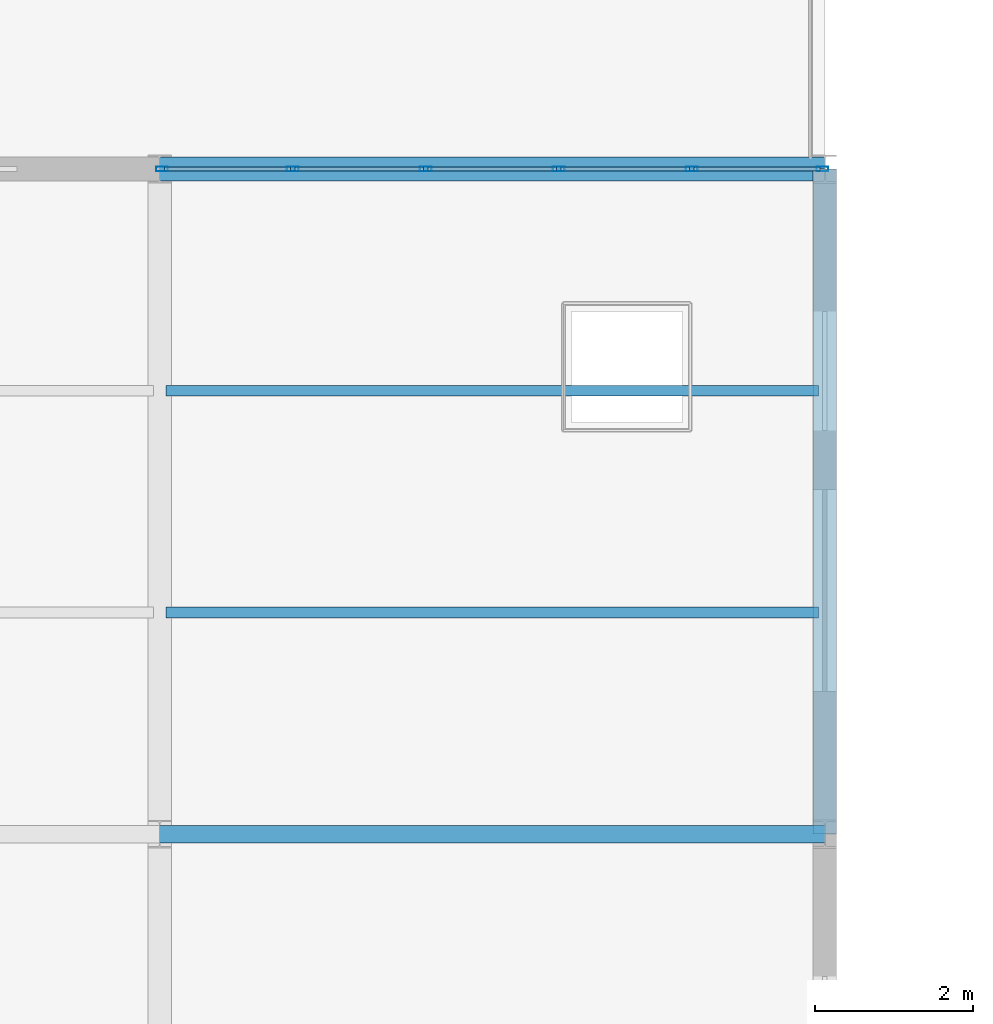
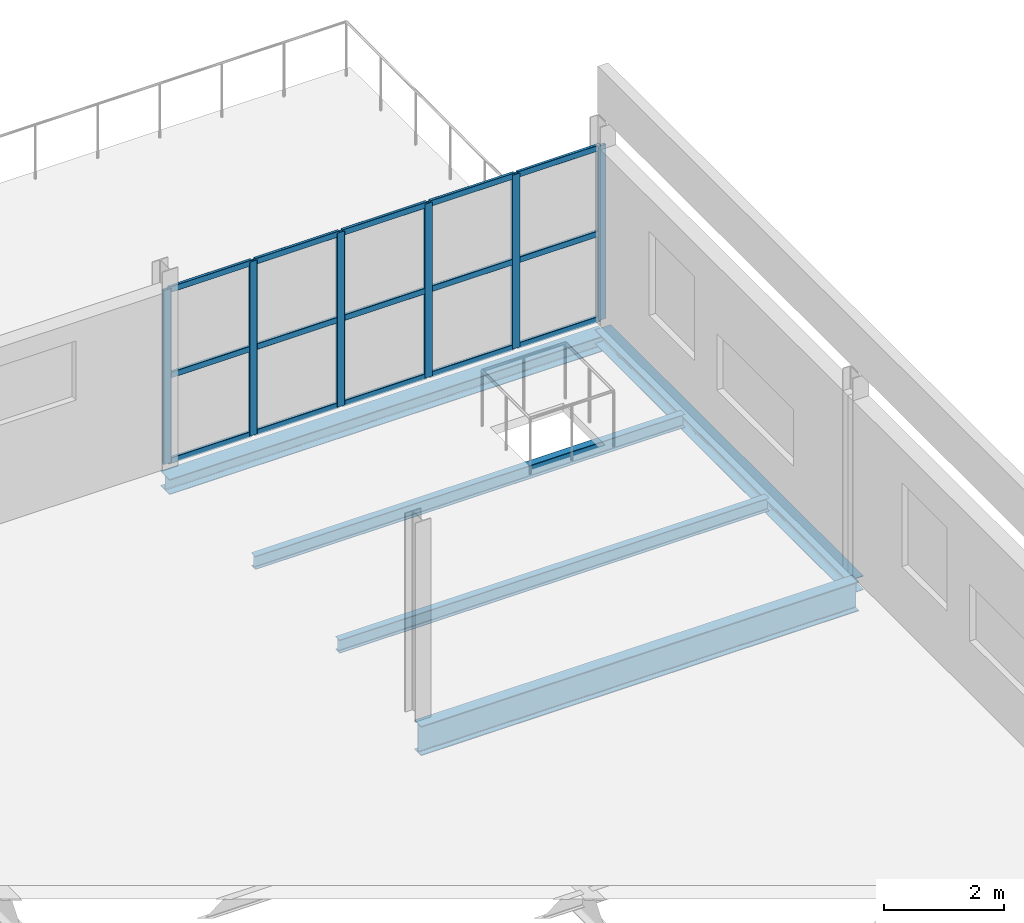
# One storey, part 126 of 184: 21 members, 5 beams, 1 element without a shape of its own.
"""IFC4 building model written with IfcOpenShell, lengths in metres."""

from ifc_helpers import new_model, si_unit, direction, frame, origin, origin_2d, place, context, subcontext, project, spatial, hollow_rectangle, i_section, extrude, material, layer, layer_set, material_profile, profile_set, type_object, element, aggregate, save


model = new_model("IFC4")

# Units and contexts
model_context = context("Model", 3, precision=1e-05, world=origin(), true_north=direction((0.0, 1.0)))
body_context = subcontext(model_context, "Body", "Model", "MODEL_VIEW")
ifc_project = project(units=[si_unit("LENGTHUNIT", "METRE"), si_unit("AREAUNIT", "SQUARE_METRE"), si_unit("VOLUMEUNIT", "CUBIC_METRE"), si_unit("PLANEANGLEUNIT", "RADIAN"), si_unit("MASSUNIT", "GRAM", prefix="KILO")], contexts=[model_context])

# Site, building, storey
site_placement = place(None, origin())
site = spatial("IfcSite", under=ifc_project, at=site_placement, CompositionType="ELEMENT")
building_placement = place(site_placement, origin())
building = spatial("IfcBuilding", under=site, at=building_placement, Name="Qalvenar Corner Mobility Hub", CompositionType="ELEMENT")
storey_placement = place(building_placement, frame((0.0, 0.0, 9.0)))
storey = spatial("IfcBuildingStorey", under=building, at=storey_placement, Name="L02", CompositionType="ELEMENT", Elevation=9.0)

# Beams
ifc_material_1 = material(Name="Steel S355", Category="steel")
ifc_material_profile_1 = material_profile(ifc_material_1, i_section(OverallWidth=0.219970703125, OverallDepth=0.60009765625, WebThickness=0.011962890625, FlangeThickness=0.01904296875, FilletRadius=0.02392578125, at=origin_2d()), Name="IPE600")
ifc_profile_set_1 = profile_set([ifc_material_profile_1], Name="Steel S355")
beam_type_1 = type_object("IfcBeamType", Name="BM-IPE600", PredefinedType="BEAM", material=ifc_profile_set_1)
beam_1_placement = place(storey_placement, frame((159.60009765625, 33.60009765625, -0.47998046875), z_axis=(1.0, 0.0, 0.0), x_axis=(0.0, 1.0, 0.0)))
element("IfcBeam", 1, at=beam_1_placement, inside=storey, type_object=beam_type_1, Name="Primary Steel Girder GX-1703", PredefinedType="BEAM", context=body_context, shape_type="SweptSolid", body=[
    extrude(i_section(OverallWidth=0.219970703125, OverallDepth=0.60009765625, WebThickness=0.011962890625, FlangeThickness=0.01904296875, FilletRadius=0.02392578125, at=origin_2d()), origin(), (0.0, 0.0, 1.0), 8.39990234375),
])
ifc_material_profile_2 = material_profile(ifc_material_1, i_section(OverallWidth=0.135009765625, OverallDepth=0.27001953125, WebThickness=0.006591796875, FlangeThickness=0.01025390625, FilletRadius=0.014892578125, at=origin_2d()), Name="IPE270")
ifc_profile_set_2 = profile_set([ifc_material_profile_2], Name="Steel S355")
beam_type_2 = type_object("IfcBeamType", Name="BM-JST270", PredefinedType="JOIST", material=ifc_profile_set_2)
for number, where, z_axis, x_axis, name in (
    (2, (159.677978515625, 36.39990234375, -0.31494140625), (1.0, 0.0, 0.0), (0.0, 1.0, 0.0), "Composite Floor Joist J-1817"),
    (3, (159.677978515625, 39.199951171875, -0.31494140625), (1.0, 0.0, 0.0), (0.0, 1.0, 0.0), "Composite Floor Joist J-1818"),
):
    element("IfcBeam", number, at=place(storey_placement, frame(where, z_axis=z_axis, x_axis=x_axis)), inside=storey, type_object=beam_type_2, Name=name, PredefinedType="JOIST", context=body_context, shape_type="SweptSolid", body=[
        extrude(i_section(OverallWidth=0.135009765625, OverallDepth=0.27001953125, WebThickness=0.006591796875, FlangeThickness=0.01025390625, FilletRadius=0.014892578125, at=origin_2d()), origin(), (0.0, 0.0, 1.0), 8.244140625),
    ])
ifc_material_profile_3 = material_profile(ifc_material_1, i_section(OverallWidth=0.300048828125, OverallDepth=0.2900390625, WebThickness=0.008544921875, FlangeThickness=0.013916015625, FilletRadius=0.027099609375, at=origin_2d()), Name="HEA300")
ifc_profile_set_3 = profile_set([ifc_material_profile_3], Name="Steel S355")
beam_type_3 = type_object("IfcBeamType", Name="BM-SPN300", PredefinedType="SPANDREL", material=ifc_profile_set_3)
beam_2_placement = place(storey_placement, frame((168.0, 33.60009765625, -0.324951171875), z_axis=(0.0, 1.0, 0.0), x_axis=(-1.0, 0.0, 0.0)))
element("IfcBeam", 4, at=beam_2_placement, inside=storey, type_object=beam_type_3, Name="Primary Steel Girder GY-1750", PredefinedType="SPANDREL", context=body_context, shape_type="SweptSolid", body=[
    extrude(i_section(OverallWidth=0.300048828125, OverallDepth=0.2900390625, WebThickness=0.008544921875, FlangeThickness=0.013916015625, FilletRadius=0.027099609375, at=origin_2d()), origin(), (0.0, 0.0, 1.0), 8.39990234375),
])
ifc_material_profile_4 = material_profile(ifc_material_1, i_section(OverallWidth=0.300048828125, OverallDepth=0.31005859375, WebThickness=0.009033203125, FlangeThickness=0.015380859375, FilletRadius=0.027099609375, at=origin_2d()), Name="HEA320")
ifc_profile_set_4 = profile_set([ifc_material_profile_4], Name="Steel S355")
beam_type_4 = type_object("IfcBeamType", Name="BM-SPN320", PredefinedType="SPANDREL", material=ifc_profile_set_4)
beam_3_placement = place(storey_placement, frame((159.60009765625, 42.0, -0.39697265625), z_axis=(1.0, 0.0, 0.0), x_axis=(0.0, 1.0, 0.0)))
element("IfcBeam", 5, at=beam_3_placement, inside=storey, type_object=beam_type_4, Name="Primary Steel Girder GX-1710", PredefinedType="SPANDREL", context=body_context, shape_type="SweptSolid", body=[
    extrude(i_section(OverallWidth=0.300048828125, OverallDepth=0.31005859375, WebThickness=0.009033203125, FlangeThickness=0.015380859375, FilletRadius=0.027099609375, at=origin_2d()), origin(), (0.0, 0.0, 1.0), 8.39990234375),
])

# Curtain wall, members
ifc_material_2 = material(Name="Anodised Aluminium and Low-E Glazing", Category="aluminium")
ifc_layer = layer(ifc_material_2, 0.14990234375)
ifc_layer_set = layer_set([ifc_layer], Name="Anodised Aluminium and Low-E Glazing")
curtain_wall_type = type_object("IfcCurtainWallType", Name="CW-WKS-84X44", PredefinedType="NOTDEFINED", material=ifc_layer_set)
curtain_wall_placement = place(storey_placement, origin())
curtain_wall = element("IfcCurtainWall", 6, at=curtain_wall_placement, inside=storey, type_object=curtain_wall_type, Name="Glazed Curtain Wall CW-V6-L02-N6", PredefinedType="NOTDEFINED")
ifc_material_3 = material(Name="Anodised Aluminium 6063-T6", Category="aluminium")
ifc_material_profile_5 = material_profile(ifc_material_3, hollow_rectangle(XDim=0.06005859375, YDim=0.14990234375, WallThickness=0.00390625, InnerFilletRadius=0.00390625, OuterFilletRadius=0.008056640625, at=origin_2d()), Name="RHS150x60x4")
ifc_profile_set_5 = profile_set([ifc_material_profile_5], Name="Anodised Aluminium 6063-T6")
member_type_1 = type_object("IfcMemberType", Name="CW-MUL150", PredefinedType="MULLION", material=ifc_profile_set_5)
member_1_placement = place(storey_placement, frame((167.969970703125, 42.0, 0.0), z_axis=(0.0, 0.0, 1.0), x_axis=(0.0, -1.0, 0.0)))
member_1 = element("IfcMember", 7, at=member_1_placement, type_object=member_type_1, Name="CW-09 mullion 1", PredefinedType="MULLION", context=body_context, shape_type="SweptSolid", body=[
    extrude(hollow_rectangle(XDim=0.06005859375, YDim=0.14990234375, WallThickness=0.00390625, InnerFilletRadius=0.00390625, OuterFilletRadius=0.008056640625, at=origin_2d()), origin(), (0.0, 0.0, 1.0), 3.530029296875),
])
member_2_placement = place(storey_placement, frame((166.320068359375, 42.0, 0.0), z_axis=(0.0, 0.0, 1.0), x_axis=(0.0, -1.0, 0.0)))
member_2 = element("IfcMember", 8, at=member_2_placement, type_object=member_type_1, Name="CW-09 mullion 2", PredefinedType="MULLION", context=body_context, shape_type="SweptSolid", body=[
    extrude(hollow_rectangle(XDim=0.06005859375, YDim=0.14990234375, WallThickness=0.00390625, InnerFilletRadius=0.00390625, OuterFilletRadius=0.008056640625, at=origin_2d()), origin(), (0.0, 0.0, 1.0), 3.530029296875),
])
member_3_placement = place(storey_placement, frame((164.639892578125, 42.0, 0.0), z_axis=(0.0, 0.0, 1.0), x_axis=(0.0, -1.0, 0.0)))
member_3 = element("IfcMember", 9, at=member_3_placement, type_object=member_type_1, Name="CW-09 mullion 3", PredefinedType="MULLION", context=body_context, shape_type="SweptSolid", body=[
    extrude(hollow_rectangle(XDim=0.06005859375, YDim=0.14990234375, WallThickness=0.00390625, InnerFilletRadius=0.00390625, OuterFilletRadius=0.008056640625, at=origin_2d()), origin(), (0.0, 0.0, 1.0), 3.530029296875),
])
member_4_placement = place(storey_placement, frame((162.9599609375, 42.0, 0.0), z_axis=(0.0, 0.0, 1.0), x_axis=(0.0, -1.0, 0.0)))
member_4 = element("IfcMember", 10, at=member_4_placement, type_object=member_type_1, Name="CW-09 mullion 4", PredefinedType="MULLION", context=body_context, shape_type="SweptSolid", body=[
    extrude(hollow_rectangle(XDim=0.06005859375, YDim=0.14990234375, WallThickness=0.00390625, InnerFilletRadius=0.00390625, OuterFilletRadius=0.008056640625, at=origin_2d()), origin(), (0.0, 0.0, 1.0), 3.530029296875),
])
member_5_placement = place(storey_placement, frame((161.280029296875, 42.0, 0.0), z_axis=(0.0, 0.0, 1.0), x_axis=(0.0, -1.0, 0.0)))
member_5 = element("IfcMember", 11, at=member_5_placement, type_object=member_type_1, Name="CW-09 mullion 5", PredefinedType="MULLION", context=body_context, shape_type="SweptSolid", body=[
    extrude(hollow_rectangle(XDim=0.06005859375, YDim=0.14990234375, WallThickness=0.00390625, InnerFilletRadius=0.00390625, OuterFilletRadius=0.008056640625, at=origin_2d()), origin(), (0.0, 0.0, 1.0), 3.530029296875),
])
member_6_placement = place(storey_placement, frame((159.6298828125, 42.0, 0.0), z_axis=(0.0, 0.0, 1.0), x_axis=(0.0, -1.0, 0.0)))
member_6 = element("IfcMember", 12, at=member_6_placement, type_object=member_type_1, Name="CW-09 mullion 6", PredefinedType="MULLION", context=body_context, shape_type="SweptSolid", body=[
    extrude(hollow_rectangle(XDim=0.06005859375, YDim=0.14990234375, WallThickness=0.00390625, InnerFilletRadius=0.00390625, OuterFilletRadius=0.008056640625, at=origin_2d()), origin(), (0.0, 0.0, 1.0), 3.530029296875),
])
ifc_material_profile_6 = material_profile(ifc_material_3, hollow_rectangle(XDim=0.054931640625, YDim=0.1201171875, WallThickness=0.00341796875, InnerFilletRadius=0.00341796875, OuterFilletRadius=0.007080078125, at=origin_2d()), Name="RHS120x55x3.5")
ifc_profile_set_6 = profile_set([ifc_material_profile_6], Name="Anodised Aluminium 6063-T6")
member_type_2 = type_object("IfcMemberType", Name="CW-TRN120", PredefinedType="USERDEFINED", material=ifc_profile_set_6)
member_7_placement = place(storey_placement, frame((167.93994140625, 42.0, 0.027587890625), z_axis=(-1.0, 0.0, 0.0), x_axis=(0.0, -1.0, 0.0)))
member_7 = element("IfcMember", 13, at=member_7_placement, type_object=member_type_2, Name="CW-09 transom 1.1", ObjectType="TRANSOM", PredefinedType="USERDEFINED", context=body_context, shape_type="SweptSolid", body=[
    extrude(hollow_rectangle(XDim=0.054931640625, YDim=0.1201171875, WallThickness=0.00341796875, InnerFilletRadius=0.00341796875, OuterFilletRadius=0.007080078125, at=origin_2d()), origin(), (0.0, 0.0, 1.0), 1.58984375),
])
member_8_placement = place(storey_placement, frame((167.93994140625, 42.0, 1.764892578125), z_axis=(-1.0, 0.0, 0.0), x_axis=(0.0, -1.0, 0.0)))
member_8 = element("IfcMember", 14, at=member_8_placement, type_object=member_type_2, Name="CW-09 transom 1.2", ObjectType="TRANSOM", PredefinedType="USERDEFINED", context=body_context, shape_type="SweptSolid", body=[
    extrude(hollow_rectangle(XDim=0.054931640625, YDim=0.1201171875, WallThickness=0.00341796875, InnerFilletRadius=0.00341796875, OuterFilletRadius=0.007080078125, at=origin_2d()), origin(), (0.0, 0.0, 1.0), 1.58984375),
])
member_9_placement = place(storey_placement, frame((167.93994140625, 42.0, 3.50244140625), z_axis=(-1.0, 0.0, 0.0), x_axis=(0.0, -1.0, 0.0)))
member_9 = element("IfcMember", 15, at=member_9_placement, type_object=member_type_2, Name="CW-09 transom 1.3", ObjectType="TRANSOM", PredefinedType="USERDEFINED", context=body_context, shape_type="SweptSolid", body=[
    extrude(hollow_rectangle(XDim=0.054931640625, YDim=0.1201171875, WallThickness=0.00341796875, InnerFilletRadius=0.00341796875, OuterFilletRadius=0.007080078125, at=origin_2d()), origin(), (0.0, 0.0, 1.0), 1.58984375),
])
member_10_placement = place(storey_placement, frame((166.2900390625, 42.0, 0.027587890625), z_axis=(-1.0, 0.0, 0.0), x_axis=(0.0, -1.0, 0.0)))
member_10 = element("IfcMember", 16, at=member_10_placement, type_object=member_type_2, Name="CW-09 transom 2.1", ObjectType="TRANSOM", PredefinedType="USERDEFINED", context=body_context, shape_type="SweptSolid", body=[
    extrude(hollow_rectangle(XDim=0.054931640625, YDim=0.1201171875, WallThickness=0.00341796875, InnerFilletRadius=0.00341796875, OuterFilletRadius=0.007080078125, at=origin_2d()), origin(), (0.0, 0.0, 1.0), 1.6201171875),
])
member_11_placement = place(storey_placement, frame((166.2900390625, 42.0, 1.764892578125), z_axis=(-1.0, 0.0, 0.0), x_axis=(0.0, -1.0, 0.0)))
member_11 = element("IfcMember", 17, at=member_11_placement, type_object=member_type_2, Name="CW-09 transom 2.2", ObjectType="TRANSOM", PredefinedType="USERDEFINED", context=body_context, shape_type="SweptSolid", body=[
    extrude(hollow_rectangle(XDim=0.054931640625, YDim=0.1201171875, WallThickness=0.00341796875, InnerFilletRadius=0.00341796875, OuterFilletRadius=0.007080078125, at=origin_2d()), origin(), (0.0, 0.0, 1.0), 1.6201171875),
])
member_12_placement = place(storey_placement, frame((166.2900390625, 42.0, 3.50244140625), z_axis=(-1.0, 0.0, 0.0), x_axis=(0.0, -1.0, 0.0)))
member_12 = element("IfcMember", 18, at=member_12_placement, type_object=member_type_2, Name="CW-09 transom 2.3", ObjectType="TRANSOM", PredefinedType="USERDEFINED", context=body_context, shape_type="SweptSolid", body=[
    extrude(hollow_rectangle(XDim=0.054931640625, YDim=0.1201171875, WallThickness=0.00341796875, InnerFilletRadius=0.00341796875, OuterFilletRadius=0.007080078125, at=origin_2d()), origin(), (0.0, 0.0, 1.0), 1.6201171875),
])
member_13_placement = place(storey_placement, frame((164.610107421875, 42.0, 0.027587890625), z_axis=(-1.0, 0.0, 0.0), x_axis=(0.0, -1.0, 0.0)))
member_13 = element("IfcMember", 19, at=member_13_placement, type_object=member_type_2, Name="CW-09 transom 3.1", ObjectType="TRANSOM", PredefinedType="USERDEFINED", context=body_context, shape_type="SweptSolid", body=[
    extrude(hollow_rectangle(XDim=0.054931640625, YDim=0.1201171875, WallThickness=0.00341796875, InnerFilletRadius=0.00341796875, OuterFilletRadius=0.007080078125, at=origin_2d()), origin(), (0.0, 0.0, 1.0), 1.6201171875),
])
member_14_placement = place(storey_placement, frame((164.610107421875, 42.0, 1.764892578125), z_axis=(-1.0, 0.0, 0.0), x_axis=(0.0, -1.0, 0.0)))
member_14 = element("IfcMember", 20, at=member_14_placement, type_object=member_type_2, Name="CW-09 transom 3.2", ObjectType="TRANSOM", PredefinedType="USERDEFINED", context=body_context, shape_type="SweptSolid", body=[
    extrude(hollow_rectangle(XDim=0.054931640625, YDim=0.1201171875, WallThickness=0.00341796875, InnerFilletRadius=0.00341796875, OuterFilletRadius=0.007080078125, at=origin_2d()), origin(), (0.0, 0.0, 1.0), 1.6201171875),
])
member_15_placement = place(storey_placement, frame((164.610107421875, 42.0, 3.50244140625), z_axis=(-1.0, 0.0, 0.0), x_axis=(0.0, -1.0, 0.0)))
member_15 = element("IfcMember", 21, at=member_15_placement, type_object=member_type_2, Name="CW-09 transom 3.3", ObjectType="TRANSOM", PredefinedType="USERDEFINED", context=body_context, shape_type="SweptSolid", body=[
    extrude(hollow_rectangle(XDim=0.054931640625, YDim=0.1201171875, WallThickness=0.00341796875, InnerFilletRadius=0.00341796875, OuterFilletRadius=0.007080078125, at=origin_2d()), origin(), (0.0, 0.0, 1.0), 1.6201171875),
])
member_16_placement = place(storey_placement, frame((162.929931640625, 42.0, 0.027587890625), z_axis=(-1.0, 0.0, 0.0), x_axis=(0.0, -1.0, 0.0)))
member_16 = element("IfcMember", 22, at=member_16_placement, type_object=member_type_2, Name="CW-09 transom 4.1", ObjectType="TRANSOM", PredefinedType="USERDEFINED", context=body_context, shape_type="SweptSolid", body=[
    extrude(hollow_rectangle(XDim=0.054931640625, YDim=0.1201171875, WallThickness=0.00341796875, InnerFilletRadius=0.00341796875, OuterFilletRadius=0.007080078125, at=origin_2d()), origin(), (0.0, 0.0, 1.0), 1.619873046875),
])
member_17_placement = place(storey_placement, frame((162.929931640625, 42.0, 1.764892578125), z_axis=(-1.0, 0.0, 0.0), x_axis=(0.0, -1.0, 0.0)))
member_17 = element("IfcMember", 23, at=member_17_placement, type_object=member_type_2, Name="CW-09 transom 4.2", ObjectType="TRANSOM", PredefinedType="USERDEFINED", context=body_context, shape_type="SweptSolid", body=[
    extrude(hollow_rectangle(XDim=0.054931640625, YDim=0.1201171875, WallThickness=0.00341796875, InnerFilletRadius=0.00341796875, OuterFilletRadius=0.007080078125, at=origin_2d()), origin(), (0.0, 0.0, 1.0), 1.619873046875),
])
member_18_placement = place(storey_placement, frame((162.929931640625, 42.0, 3.50244140625), z_axis=(-1.0, 0.0, 0.0), x_axis=(0.0, -1.0, 0.0)))
member_18 = element("IfcMember", 24, at=member_18_placement, type_object=member_type_2, Name="CW-09 transom 4.3", ObjectType="TRANSOM", PredefinedType="USERDEFINED", context=body_context, shape_type="SweptSolid", body=[
    extrude(hollow_rectangle(XDim=0.054931640625, YDim=0.1201171875, WallThickness=0.00341796875, InnerFilletRadius=0.00341796875, OuterFilletRadius=0.007080078125, at=origin_2d()), origin(), (0.0, 0.0, 1.0), 1.619873046875),
])
member_19_placement = place(storey_placement, frame((161.25, 42.0, 0.027587890625), z_axis=(-1.0, 0.0, 0.0), x_axis=(0.0, -1.0, 0.0)))
member_19 = element("IfcMember", 25, at=member_19_placement, type_object=member_type_2, Name="CW-09 transom 5.1", ObjectType="TRANSOM", PredefinedType="USERDEFINED", context=body_context, shape_type="SweptSolid", body=[
    extrude(hollow_rectangle(XDim=0.054931640625, YDim=0.1201171875, WallThickness=0.00341796875, InnerFilletRadius=0.00341796875, OuterFilletRadius=0.007080078125, at=origin_2d()), origin(), (0.0, 0.0, 1.0), 1.590087890625),
])
member_20_placement = place(storey_placement, frame((161.25, 42.0, 1.764892578125), z_axis=(-1.0, 0.0, 0.0), x_axis=(0.0, -1.0, 0.0)))
member_20 = element("IfcMember", 26, at=member_20_placement, type_object=member_type_2, Name="CW-09 transom 5.2", ObjectType="TRANSOM", PredefinedType="USERDEFINED", context=body_context, shape_type="SweptSolid", body=[
    extrude(hollow_rectangle(XDim=0.054931640625, YDim=0.1201171875, WallThickness=0.00341796875, InnerFilletRadius=0.00341796875, OuterFilletRadius=0.007080078125, at=origin_2d()), origin(), (0.0, 0.0, 1.0), 1.590087890625),
])
member_21_placement = place(storey_placement, frame((161.25, 42.0, 3.50244140625), z_axis=(-1.0, 0.0, 0.0), x_axis=(0.0, -1.0, 0.0)))
member_21 = element("IfcMember", 27, at=member_21_placement, type_object=member_type_2, Name="CW-09 transom 5.3", ObjectType="TRANSOM", PredefinedType="USERDEFINED", context=body_context, shape_type="SweptSolid", body=[
    extrude(hollow_rectangle(XDim=0.054931640625, YDim=0.1201171875, WallThickness=0.00341796875, InnerFilletRadius=0.00341796875, OuterFilletRadius=0.007080078125, at=origin_2d()), origin(), (0.0, 0.0, 1.0), 1.590087890625),
])
aggregate(curtain_wall, [member_1, member_2, member_3, member_4, member_5, member_6, member_7, member_8, member_9, member_10, member_11, member_12, member_13, member_14, member_15, member_16, member_17, member_18, member_19, member_20, member_21])

save(model, "model.ifc")
